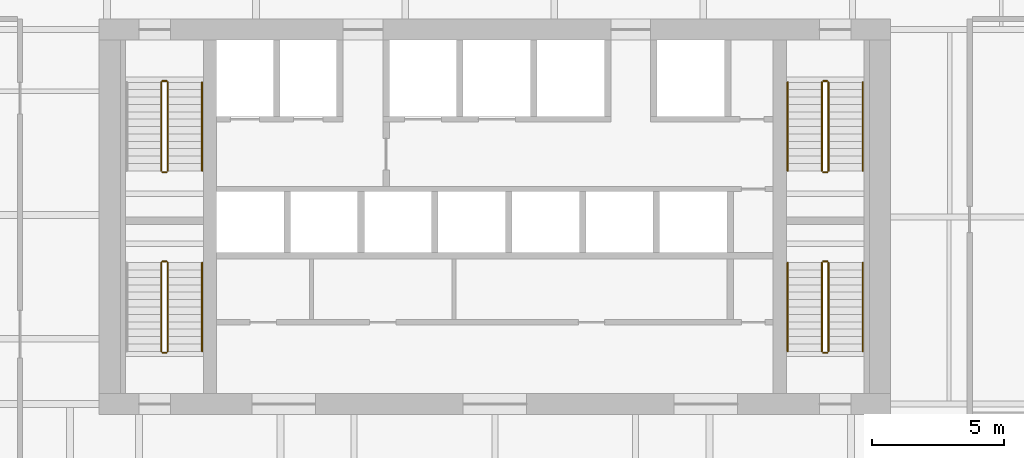
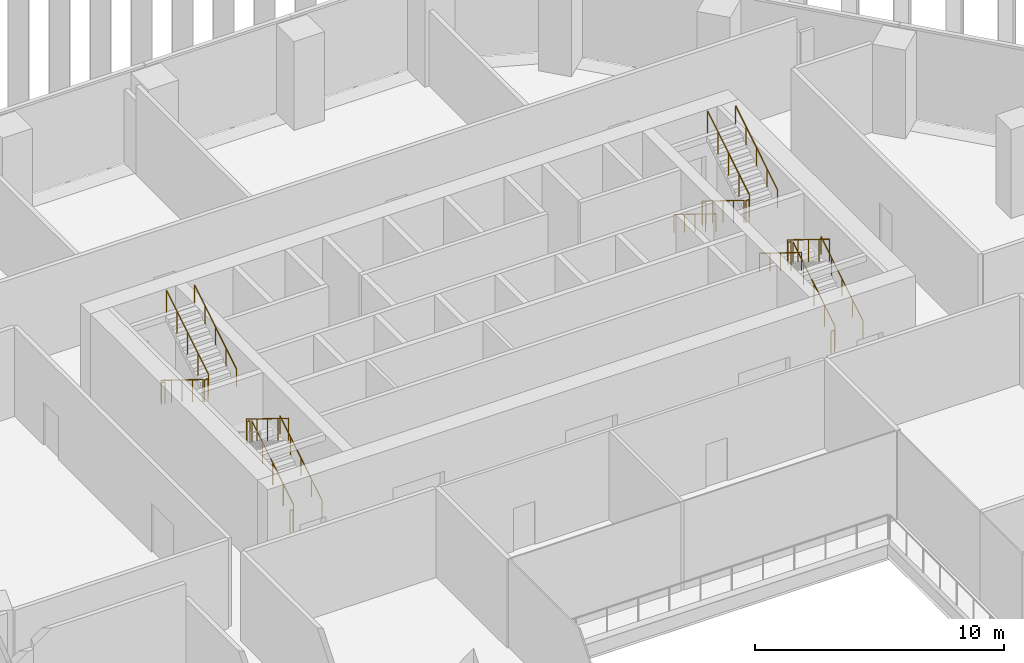
# One storey, part 15 of 18: 22 railings.
"""IFC4 building model written with IfcOpenShell, lengths in metres."""

from ifc_helpers import new_model, si_unit, direction, frame, origin, origin_2d, place, context, subcontext, project, spatial, circle, extrude, material, type_object, element, save


model = new_model("IFC4")

# Units and contexts
model_context = context("Model", 3, precision=1e-05, world=origin(), true_north=direction((0.0, 1.0)))
body_context = subcontext(model_context, "Body", "Model", "MODEL_VIEW")
ifc_project = project(units=[si_unit("LENGTHUNIT", "METRE"), si_unit("AREAUNIT", "SQUARE_METRE"), si_unit("VOLUMEUNIT", "CUBIC_METRE"), si_unit("PLANEANGLEUNIT", "RADIAN"), si_unit("MASSUNIT", "GRAM", prefix="KILO")], contexts=[model_context])

# Site, building, storey
site_placement = place(None, origin())
site = spatial("IfcSite", under=ifc_project, at=site_placement, CompositionType="ELEMENT")
building_placement = place(site_placement, origin())
building = spatial("IfcBuilding", under=site, at=building_placement, Name="Isthmus Gate Tower", CompositionType="ELEMENT")
storey_placement = place(building_placement, frame((0.0, 0.0, 166.300048828125)))
storey = spatial("IfcBuildingStorey", under=building, at=storey_placement, Name="L41", CompositionType="ELEMENT", Elevation=166.300048828125)

# Railings
ifc_material_1 = material(Name="Stainless steel balustrade", Category="steel")
railing_type_1 = type_object("IfcRailingType", Name="STAIR GUARD 1100", PredefinedType="GUARDRAIL", material=ifc_material_1)
railing_1_placement = place(storey_placement, frame((-12.64990234375, 12.60009765625, 0.173095703125)))
element("IfcRailing", 1, at=railing_1_placement, inside=storey, type_object=railing_type_1, Name="L41 ST1 stair guard 1", PredefinedType="GUARDRAIL", context=body_context, shape_type="SweptSolid", body=[
    extrude(circle(Radius=0.02392578125, at=origin_2d()), frame((0.0, 0.0, 1.076171875), z_axis=(0.0, -0.850623216509, 0.525775754039), x_axis=(1.0, 0.0, 0.0)), (0.0, 0.0, 1.0), 3.9501953125),
    extrude(circle(Radius=0.02099609375, at=origin_2d()), origin(), (0.0, 0.0, 1.0), 1.052001953125),
    extrude(circle(Radius=0.02099609375, at=origin_2d()), frame((0.0, -0.840087890625, 0.519287109375)), (0.0, 0.0, 1.0), 1.052001953125),
    extrude(circle(Radius=0.02099609375, at=origin_2d()), frame((0.0, -1.68017578125, 1.03857421875)), (0.0, 0.0, 1.0), 1.052001953125),
    extrude(circle(Radius=0.02099609375, at=origin_2d()), frame((0.0, -2.52001953125, 1.5576171875)), (0.0, 0.0, 1.0), 1.052001953125),
    extrude(circle(Radius=0.02099609375, at=origin_2d()), frame((0.0, -3.360107421875, 2.076904296875)), (0.0, 0.0, 1.0), 1.052001953125),
])
railing_2_placement = place(storey_placement, frame((-12.60009765625, 9.18994140625, 2.25)))
element("IfcRailing", 2, at=railing_2_placement, inside=storey, type_object=railing_type_1, Name="L41 ST1 stair guard 2", PredefinedType="GUARDRAIL", context=body_context, shape_type="SweptSolid", body=[
    extrude(circle(Radius=0.02392578125, at=origin_2d()), frame((0.0, 0.0, 1.076171875), z_axis=(1.0, 0.0, 0.0), x_axis=(0.0, 1.0, 0.0)), (0.0, 0.0, 1.0), 0.150146484375),
    extrude(circle(Radius=0.02099609375, at=origin_2d()), origin(), (0.0, 0.0, 1.0), 1.052001953125),
    extrude(circle(Radius=0.02099609375, at=origin_2d()), frame((0.150146484375, 0.0, 0.0)), (0.0, 0.0, 1.0), 1.052001953125),
])
railing_3_placement = place(storey_placement, frame((-12.39990234375, 9.239990234375, 2.423095703125)))
element("IfcRailing", 3, at=railing_3_placement, inside=storey, type_object=railing_type_1, Name="L41 ST1 stair guard 3", PredefinedType="GUARDRAIL", context=body_context, shape_type="SweptSolid", body=[
    extrude(circle(Radius=0.02392578125, at=origin_2d()), frame((0.0, 0.0, 1.076171875), z_axis=(0.0, 0.850623216509, 0.525775754039), x_axis=(-1.0, 0.0, 0.0)), (0.0, 0.0, 1.0), 3.9501953125),
    extrude(circle(Radius=0.02099609375, at=origin_2d()), origin(), (0.0, 0.0, 1.0), 1.052001953125),
    extrude(circle(Radius=0.02099609375, at=origin_2d()), frame((0.0, 0.840087890625, 0.519287109375)), (0.0, 0.0, 1.0), 1.052001953125),
    extrude(circle(Radius=0.02099609375, at=origin_2d()), frame((0.0, 1.68017578125, 1.03857421875)), (0.0, 0.0, 1.0), 1.052001953125),
    extrude(circle(Radius=0.02099609375, at=origin_2d()), frame((0.0, 2.52001953125, 1.5576171875)), (0.0, 0.0, 1.0), 1.052001953125),
    extrude(circle(Radius=0.02099609375, at=origin_2d()), frame((0.0, 3.360107421875, 2.076904296875)), (0.0, 0.0, 1.0), 1.052001953125),
])
railing_4_placement = place(storey_placement, frame((-12.60009765625, 12.64990234375, 0.0)))
element("IfcRailing", 4, at=railing_4_placement, inside=storey, type_object=railing_type_1, Name="L41 ST1 stair guard 4", PredefinedType="GUARDRAIL", context=body_context, shape_type="SweptSolid", body=[
    extrude(circle(Radius=0.02392578125, at=origin_2d()), frame((0.0, 0.0, 1.076171875), z_axis=(1.0, 0.0, 0.0), x_axis=(0.0, 1.0, 0.0)), (0.0, 0.0, 1.0), 0.150146484375),
    extrude(circle(Radius=0.02099609375, at=origin_2d()), origin(), (0.0, 0.0, 1.0), 1.052001953125),
    extrude(circle(Radius=0.02099609375, at=origin_2d()), frame((0.150146484375, 0.0, 0.0)), (0.0, 0.0, 1.0), 1.052001953125),
])
railing_5_placement = place(storey_placement, frame((12.39990234375, 12.60009765625, 0.173095703125)))
element("IfcRailing", 5, at=railing_5_placement, inside=storey, type_object=railing_type_1, Name="L41 ST2 stair guard 1", PredefinedType="GUARDRAIL", context=body_context, shape_type="SweptSolid", body=[
    extrude(circle(Radius=0.02392578125, at=origin_2d()), frame((0.0, 0.0, 1.076171875), z_axis=(0.0, -0.850623216509, 0.525775754039), x_axis=(1.0, 0.0, 0.0)), (0.0, 0.0, 1.0), 3.9501953125),
    extrude(circle(Radius=0.02099609375, at=origin_2d()), origin(), (0.0, 0.0, 1.0), 1.052001953125),
    extrude(circle(Radius=0.02099609375, at=origin_2d()), frame((0.0, -0.840087890625, 0.519287109375)), (0.0, 0.0, 1.0), 1.052001953125),
    extrude(circle(Radius=0.02099609375, at=origin_2d()), frame((0.0, -1.68017578125, 1.03857421875)), (0.0, 0.0, 1.0), 1.052001953125),
    extrude(circle(Radius=0.02099609375, at=origin_2d()), frame((0.0, -2.52001953125, 1.5576171875)), (0.0, 0.0, 1.0), 1.052001953125),
    extrude(circle(Radius=0.02099609375, at=origin_2d()), frame((0.0, -3.360107421875, 2.076904296875)), (0.0, 0.0, 1.0), 1.052001953125),
])
railing_6_placement = place(storey_placement, frame((12.449951171875, 9.18994140625, 2.25)))
element("IfcRailing", 6, at=railing_6_placement, inside=storey, type_object=railing_type_1, Name="L41 ST2 stair guard 2", PredefinedType="GUARDRAIL", context=body_context, shape_type="SweptSolid", body=[
    extrude(circle(Radius=0.02392578125, at=origin_2d()), frame((0.0, 0.0, 1.076171875), z_axis=(1.0, 0.0, 0.0), x_axis=(0.0, 1.0, 0.0)), (0.0, 0.0, 1.0), 0.150146484375),
    extrude(circle(Radius=0.02099609375, at=origin_2d()), origin(), (0.0, 0.0, 1.0), 1.052001953125),
    extrude(circle(Radius=0.02099609375, at=origin_2d()), frame((0.150146484375, 0.0, 0.0)), (0.0, 0.0, 1.0), 1.052001953125),
])
railing_7_placement = place(storey_placement, frame((12.64990234375, 9.239990234375, 2.423095703125)))
element("IfcRailing", 7, at=railing_7_placement, inside=storey, type_object=railing_type_1, Name="L41 ST2 stair guard 3", PredefinedType="GUARDRAIL", context=body_context, shape_type="SweptSolid", body=[
    extrude(circle(Radius=0.02392578125, at=origin_2d()), frame((0.0, 0.0, 1.076171875), z_axis=(0.0, 0.850623216509, 0.525775754039), x_axis=(-1.0, 0.0, 0.0)), (0.0, 0.0, 1.0), 3.9501953125),
    extrude(circle(Radius=0.02099609375, at=origin_2d()), origin(), (0.0, 0.0, 1.0), 1.052001953125),
    extrude(circle(Radius=0.02099609375, at=origin_2d()), frame((0.0, 0.840087890625, 0.519287109375)), (0.0, 0.0, 1.0), 1.052001953125),
    extrude(circle(Radius=0.02099609375, at=origin_2d()), frame((0.0, 1.68017578125, 1.03857421875)), (0.0, 0.0, 1.0), 1.052001953125),
    extrude(circle(Radius=0.02099609375, at=origin_2d()), frame((0.0, 2.52001953125, 1.5576171875)), (0.0, 0.0, 1.0), 1.052001953125),
    extrude(circle(Radius=0.02099609375, at=origin_2d()), frame((0.0, 3.360107421875, 2.076904296875)), (0.0, 0.0, 1.0), 1.052001953125),
])
railing_8_placement = place(storey_placement, frame((12.449951171875, 12.64990234375, 0.0)))
element("IfcRailing", 8, at=railing_8_placement, inside=storey, type_object=railing_type_1, Name="L41 ST2 stair guard 4", PredefinedType="GUARDRAIL", context=body_context, shape_type="SweptSolid", body=[
    extrude(circle(Radius=0.02392578125, at=origin_2d()), frame((0.0, 0.0, 1.076171875), z_axis=(1.0, 0.0, 0.0), x_axis=(0.0, 1.0, 0.0)), (0.0, 0.0, 1.0), 0.150146484375),
    extrude(circle(Radius=0.02099609375, at=origin_2d()), origin(), (0.0, 0.0, 1.0), 1.052001953125),
    extrude(circle(Radius=0.02099609375, at=origin_2d()), frame((0.150146484375, 0.0, 0.0)), (0.0, 0.0, 1.0), 1.052001953125),
])
railing_9_placement = place(storey_placement, frame((-12.39990234375, 2.39990234375, 0.173095703125)))
element("IfcRailing", 9, at=railing_9_placement, inside=storey, type_object=railing_type_1, Name="L41 ST7 stair guard 1", PredefinedType="GUARDRAIL", context=body_context, shape_type="SweptSolid", body=[
    extrude(circle(Radius=0.02392578125, at=origin_2d()), frame((0.0, 0.0, 1.076171875), z_axis=(0.0, 0.850623216509, 0.525775754039), x_axis=(-1.0, 0.0, 0.0)), (0.0, 0.0, 1.0), 3.9501953125),
    extrude(circle(Radius=0.02099609375, at=origin_2d()), origin(), (0.0, 0.0, 1.0), 1.052001953125),
    extrude(circle(Radius=0.02099609375, at=origin_2d()), frame((0.0, 0.840087890625, 0.519287109375)), (0.0, 0.0, 1.0), 1.052001953125),
    extrude(circle(Radius=0.02099609375, at=origin_2d()), frame((0.0, 1.68017578125, 1.03857421875)), (0.0, 0.0, 1.0), 1.052001953125),
    extrude(circle(Radius=0.02099609375, at=origin_2d()), frame((0.0, 2.52001953125, 1.5576171875)), (0.0, 0.0, 1.0), 1.052001953125),
    extrude(circle(Radius=0.02099609375, at=origin_2d()), frame((0.0, 3.360107421875, 2.076904296875)), (0.0, 0.0, 1.0), 1.052001953125),
])
railing_10_placement = place(storey_placement, frame((-12.449951171875, 5.81005859375, 2.25)))
element("IfcRailing", 10, at=railing_10_placement, inside=storey, type_object=railing_type_1, Name="L41 ST7 stair guard 2", PredefinedType="GUARDRAIL", context=body_context, shape_type="SweptSolid", body=[
    extrude(circle(Radius=0.02392578125, at=origin_2d()), frame((0.0, 0.0, 1.076171875), z_axis=(-1.0, 0.0, 0.0), x_axis=(0.0, -1.0, 0.0)), (0.0, 0.0, 1.0), 0.150146484375),
    extrude(circle(Radius=0.02099609375, at=origin_2d()), origin(), (0.0, 0.0, 1.0), 1.052001953125),
    extrude(circle(Radius=0.02099609375, at=origin_2d()), frame((-0.150146484375, 0.0, 0.0)), (0.0, 0.0, 1.0), 1.052001953125),
])
railing_11_placement = place(storey_placement, frame((-12.64990234375, 5.760009765625, 2.423095703125)))
element("IfcRailing", 11, at=railing_11_placement, inside=storey, type_object=railing_type_1, Name="L41 ST7 stair guard 3", PredefinedType="GUARDRAIL", context=body_context, shape_type="SweptSolid", body=[
    extrude(circle(Radius=0.02392578125, at=origin_2d()), frame((0.0, 0.0, 1.076171875), z_axis=(0.0, -0.850623216509, 0.525775754039), x_axis=(1.0, 0.0, 0.0)), (0.0, 0.0, 1.0), 3.9501953125),
    extrude(circle(Radius=0.02099609375, at=origin_2d()), origin(), (0.0, 0.0, 1.0), 1.052001953125),
    extrude(circle(Radius=0.02099609375, at=origin_2d()), frame((0.0, -0.840087890625, 0.519287109375)), (0.0, 0.0, 1.0), 1.052001953125),
    extrude(circle(Radius=0.02099609375, at=origin_2d()), frame((0.0, -1.68017578125, 1.03857421875)), (0.0, 0.0, 1.0), 1.052001953125),
    extrude(circle(Radius=0.02099609375, at=origin_2d()), frame((0.0, -2.52001953125, 1.5576171875)), (0.0, 0.0, 1.0), 1.052001953125),
    extrude(circle(Radius=0.02099609375, at=origin_2d()), frame((0.0, -3.360107421875, 2.076904296875)), (0.0, 0.0, 1.0), 1.052001953125),
])
railing_12_placement = place(storey_placement, frame((-12.449951171875, 2.35009765625, 0.0)))
element("IfcRailing", 12, at=railing_12_placement, inside=storey, type_object=railing_type_1, Name="L41 ST7 stair guard 4", PredefinedType="GUARDRAIL", context=body_context, shape_type="SweptSolid", body=[
    extrude(circle(Radius=0.02392578125, at=origin_2d()), frame((0.0, 0.0, 1.076171875), z_axis=(-1.0, 0.0, 0.0), x_axis=(0.0, -1.0, 0.0)), (0.0, 0.0, 1.0), 0.150146484375),
    extrude(circle(Radius=0.02099609375, at=origin_2d()), origin(), (0.0, 0.0, 1.0), 1.052001953125),
    extrude(circle(Radius=0.02099609375, at=origin_2d()), frame((-0.150146484375, 0.0, 0.0)), (0.0, 0.0, 1.0), 1.052001953125),
])
railing_13_placement = place(storey_placement, frame((12.64990234375, 2.39990234375, 0.173095703125)))
element("IfcRailing", 13, at=railing_13_placement, inside=storey, type_object=railing_type_1, Name="L41 ST8 stair guard 1", PredefinedType="GUARDRAIL", context=body_context, shape_type="SweptSolid", body=[
    extrude(circle(Radius=0.02392578125, at=origin_2d()), frame((0.0, 0.0, 1.076171875), z_axis=(0.0, 0.850623216509, 0.525775754039), x_axis=(-1.0, 0.0, 0.0)), (0.0, 0.0, 1.0), 3.9501953125),
    extrude(circle(Radius=0.02099609375, at=origin_2d()), origin(), (0.0, 0.0, 1.0), 1.052001953125),
    extrude(circle(Radius=0.02099609375, at=origin_2d()), frame((0.0, 0.840087890625, 0.519287109375)), (0.0, 0.0, 1.0), 1.052001953125),
    extrude(circle(Radius=0.02099609375, at=origin_2d()), frame((0.0, 1.68017578125, 1.03857421875)), (0.0, 0.0, 1.0), 1.052001953125),
    extrude(circle(Radius=0.02099609375, at=origin_2d()), frame((0.0, 2.52001953125, 1.5576171875)), (0.0, 0.0, 1.0), 1.052001953125),
    extrude(circle(Radius=0.02099609375, at=origin_2d()), frame((0.0, 3.360107421875, 2.076904296875)), (0.0, 0.0, 1.0), 1.052001953125),
])
railing_14_placement = place(storey_placement, frame((12.60009765625, 5.81005859375, 2.25)))
element("IfcRailing", 14, at=railing_14_placement, inside=storey, type_object=railing_type_1, Name="L41 ST8 stair guard 2", PredefinedType="GUARDRAIL", context=body_context, shape_type="SweptSolid", body=[
    extrude(circle(Radius=0.02392578125, at=origin_2d()), frame((0.0, 0.0, 1.076171875), z_axis=(-1.0, 0.0, 0.0), x_axis=(0.0, -1.0, 0.0)), (0.0, 0.0, 1.0), 0.150146484375),
    extrude(circle(Radius=0.02099609375, at=origin_2d()), origin(), (0.0, 0.0, 1.0), 1.052001953125),
    extrude(circle(Radius=0.02099609375, at=origin_2d()), frame((-0.150146484375, 0.0, 0.0)), (0.0, 0.0, 1.0), 1.052001953125),
])
railing_15_placement = place(storey_placement, frame((12.39990234375, 5.760009765625, 2.423095703125)))
element("IfcRailing", 15, at=railing_15_placement, inside=storey, type_object=railing_type_1, Name="L41 ST8 stair guard 3", PredefinedType="GUARDRAIL", context=body_context, shape_type="SweptSolid", body=[
    extrude(circle(Radius=0.02392578125, at=origin_2d()), frame((0.0, 0.0, 1.076171875), z_axis=(0.0, -0.850623216509, 0.525775754039), x_axis=(1.0, 0.0, 0.0)), (0.0, 0.0, 1.0), 3.9501953125),
    extrude(circle(Radius=0.02099609375, at=origin_2d()), origin(), (0.0, 0.0, 1.0), 1.052001953125),
    extrude(circle(Radius=0.02099609375, at=origin_2d()), frame((0.0, -0.840087890625, 0.519287109375)), (0.0, 0.0, 1.0), 1.052001953125),
    extrude(circle(Radius=0.02099609375, at=origin_2d()), frame((0.0, -1.68017578125, 1.03857421875)), (0.0, 0.0, 1.0), 1.052001953125),
    extrude(circle(Radius=0.02099609375, at=origin_2d()), frame((0.0, -2.52001953125, 1.5576171875)), (0.0, 0.0, 1.0), 1.052001953125),
    extrude(circle(Radius=0.02099609375, at=origin_2d()), frame((0.0, -3.360107421875, 2.076904296875)), (0.0, 0.0, 1.0), 1.052001953125),
])
railing_16_placement = place(storey_placement, frame((12.60009765625, 2.35009765625, 0.0)))
element("IfcRailing", 16, at=railing_16_placement, inside=storey, type_object=railing_type_1, Name="L41 ST8 stair guard 4", PredefinedType="GUARDRAIL", context=body_context, shape_type="SweptSolid", body=[
    extrude(circle(Radius=0.02392578125, at=origin_2d()), frame((0.0, 0.0, 1.076171875), z_axis=(-1.0, 0.0, 0.0), x_axis=(0.0, -1.0, 0.0)), (0.0, 0.0, 1.0), 0.150146484375),
    extrude(circle(Radius=0.02099609375, at=origin_2d()), origin(), (0.0, 0.0, 1.0), 1.052001953125),
    extrude(circle(Radius=0.02099609375, at=origin_2d()), frame((-0.150146484375, 0.0, 0.0)), (0.0, 0.0, 1.0), 1.052001953125),
])
ifc_material_2 = material(Name="Stainless steel handrail", Category="steel")
railing_type_2 = type_object("IfcRailingType", Name="STAIR HANDRAIL 900", PredefinedType="HANDRAIL", material=ifc_material_2)
railing_17_placement = place(storey_placement, frame((-11.10009765625, 9.239990234375, 2.423095703125)))
element("IfcRailing", 17, at=railing_17_placement, inside=storey, type_object=railing_type_2, Name="L41 ST1 stair handrail 2", PredefinedType="HANDRAIL", context=body_context, shape_type="SweptSolid", body=[
    extrude(circle(Radius=0.02392578125, at=origin_2d()), frame((0.0, 0.0, 0.8759765625), z_axis=(0.0, 0.850623216509, 0.525775754039), x_axis=(-1.0, 0.0, 0.0)), (0.0, 0.0, 1.0), 3.9501953125),
    extrude(circle(Radius=0.02099609375, at=origin_2d()), origin(), (0.0, 0.0, 1.0), 0.851806640625),
    extrude(circle(Radius=0.02099609375, at=origin_2d()), frame((0.0, 0.840087890625, 0.519287109375)), (0.0, 0.0, 1.0), 0.851806640625),
    extrude(circle(Radius=0.02099609375, at=origin_2d()), frame((0.0, 1.68017578125, 1.03857421875)), (0.0, 0.0, 1.0), 0.851806640625),
    extrude(circle(Radius=0.02099609375, at=origin_2d()), frame((0.0, 2.52001953125, 1.5576171875)), (0.0, 0.0, 1.0), 0.851806640625),
    extrude(circle(Radius=0.02099609375, at=origin_2d()), frame((0.0, 3.360107421875, 2.076904296875)), (0.0, 0.0, 1.0), 0.851806640625),
])
railing_18_placement = place(storey_placement, frame((11.10009765625, 12.60009765625, 0.173095703125)))
element("IfcRailing", 18, at=railing_18_placement, inside=storey, type_object=railing_type_2, Name="L41 ST2 stair handrail 1", PredefinedType="HANDRAIL", context=body_context, shape_type="SweptSolid", body=[
    extrude(circle(Radius=0.02392578125, at=origin_2d()), frame((0.0, 0.0, 0.8759765625), z_axis=(0.0, -0.850623216509, 0.525775754039), x_axis=(1.0, 0.0, 0.0)), (0.0, 0.0, 1.0), 3.9501953125),
    extrude(circle(Radius=0.02099609375, at=origin_2d()), origin(), (0.0, 0.0, 1.0), 0.851806640625),
    extrude(circle(Radius=0.02099609375, at=origin_2d()), frame((0.0, -0.840087890625, 0.519287109375)), (0.0, 0.0, 1.0), 0.851806640625),
    extrude(circle(Radius=0.02099609375, at=origin_2d()), frame((0.0, -1.68017578125, 1.03857421875)), (0.0, 0.0, 1.0), 0.851806640625),
    extrude(circle(Radius=0.02099609375, at=origin_2d()), frame((0.0, -2.52001953125, 1.5576171875)), (0.0, 0.0, 1.0), 0.851806640625),
    extrude(circle(Radius=0.02099609375, at=origin_2d()), frame((0.0, -3.360107421875, 2.076904296875)), (0.0, 0.0, 1.0), 0.851806640625),
])
for number, where, name in (
    (19, (13.949951171875, 9.239990234375, 2.423095703125), "L41 ST2 stair handrail 2"),
    (20, (-11.10009765625, 2.39990234375, 0.173095703125), "L41 ST7 stair handrail 1"),
    (21, (13.949951171875, 2.39990234375, 0.173095703125), "L41 ST8 stair handrail 1"),
):
    element("IfcRailing", number, at=place(storey_placement, frame(where)), inside=storey, type_object=railing_type_2, Name=name, PredefinedType="HANDRAIL", context=body_context, shape_type="SweptSolid", body=[
        extrude(circle(Radius=0.02392578125, at=origin_2d()), frame((0.0, 0.0, 0.8759765625), z_axis=(0.0, 0.850623216509, 0.525775754039), x_axis=(-1.0, 0.0, 0.0)), (0.0, 0.0, 1.0), 3.9501953125),
        extrude(circle(Radius=0.02099609375, at=origin_2d()), origin(), (0.0, 0.0, 1.0), 0.851806640625),
        extrude(circle(Radius=0.02099609375, at=origin_2d()), frame((0.0, 0.840087890625, 0.519287109375)), (0.0, 0.0, 1.0), 0.851806640625),
        extrude(circle(Radius=0.02099609375, at=origin_2d()), frame((0.0, 1.68017578125, 1.03857421875)), (0.0, 0.0, 1.0), 0.851806640625),
        extrude(circle(Radius=0.02099609375, at=origin_2d()), frame((0.0, 2.52001953125, 1.5576171875)), (0.0, 0.0, 1.0), 0.851806640625),
        extrude(circle(Radius=0.02099609375, at=origin_2d()), frame((0.0, 3.360107421875, 2.076904296875)), (0.0, 0.0, 1.0), 0.851806640625),
    ])
railing_19_placement = place(storey_placement, frame((11.10009765625, 5.760009765625, 2.423095703125)))
element("IfcRailing", 22, at=railing_19_placement, inside=storey, type_object=railing_type_2, Name="L41 ST8 stair handrail 2", PredefinedType="HANDRAIL", context=body_context, shape_type="SweptSolid", body=[
    extrude(circle(Radius=0.02392578125, at=origin_2d()), frame((0.0, 0.0, 0.8759765625), z_axis=(0.0, -0.850623216509, 0.525775754039), x_axis=(1.0, 0.0, 0.0)), (0.0, 0.0, 1.0), 3.9501953125),
    extrude(circle(Radius=0.02099609375, at=origin_2d()), origin(), (0.0, 0.0, 1.0), 0.851806640625),
    extrude(circle(Radius=0.02099609375, at=origin_2d()), frame((0.0, -0.840087890625, 0.519287109375)), (0.0, 0.0, 1.0), 0.851806640625),
    extrude(circle(Radius=0.02099609375, at=origin_2d()), frame((0.0, -1.68017578125, 1.03857421875)), (0.0, 0.0, 1.0), 0.851806640625),
    extrude(circle(Radius=0.02099609375, at=origin_2d()), frame((0.0, -2.52001953125, 1.5576171875)), (0.0, 0.0, 1.0), 0.851806640625),
    extrude(circle(Radius=0.02099609375, at=origin_2d()), frame((0.0, -3.360107421875, 2.076904296875)), (0.0, 0.0, 1.0), 0.851806640625),
])

save(model, "model.ifc")
